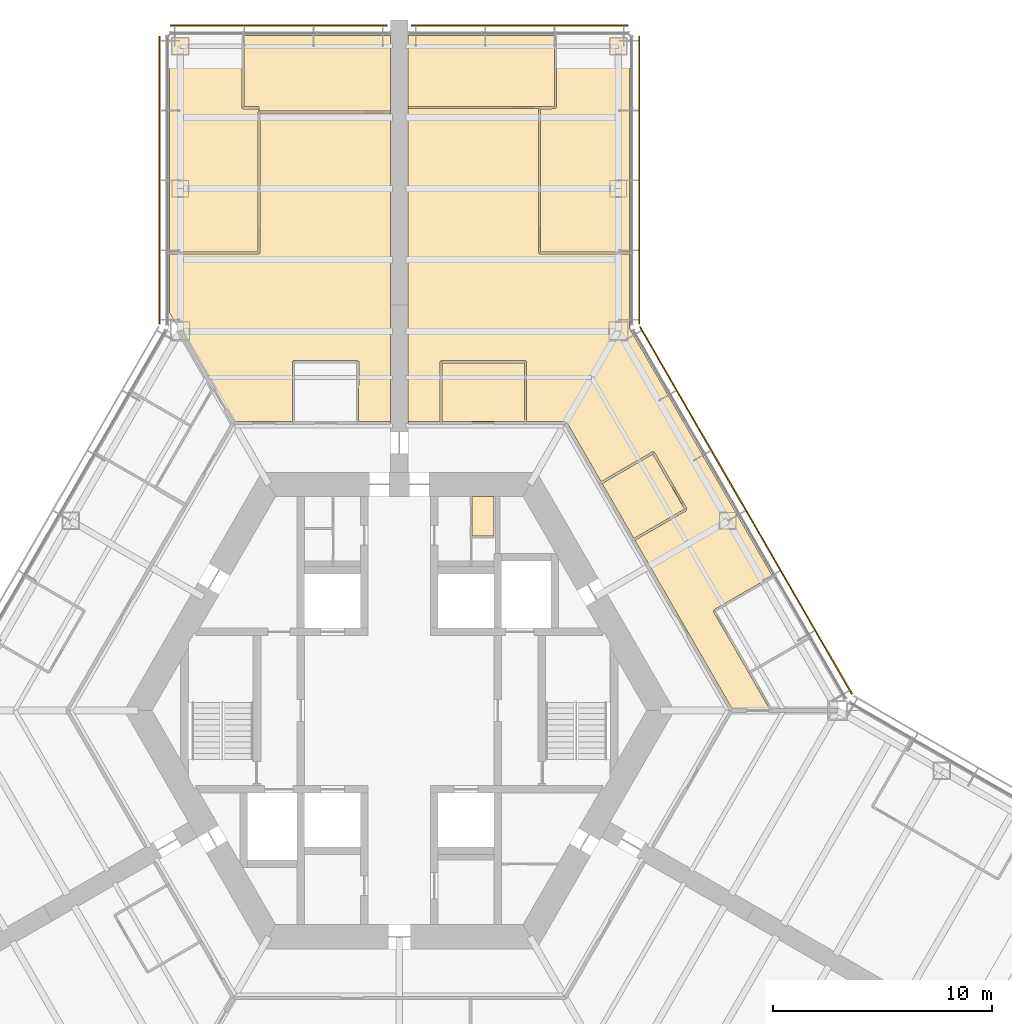
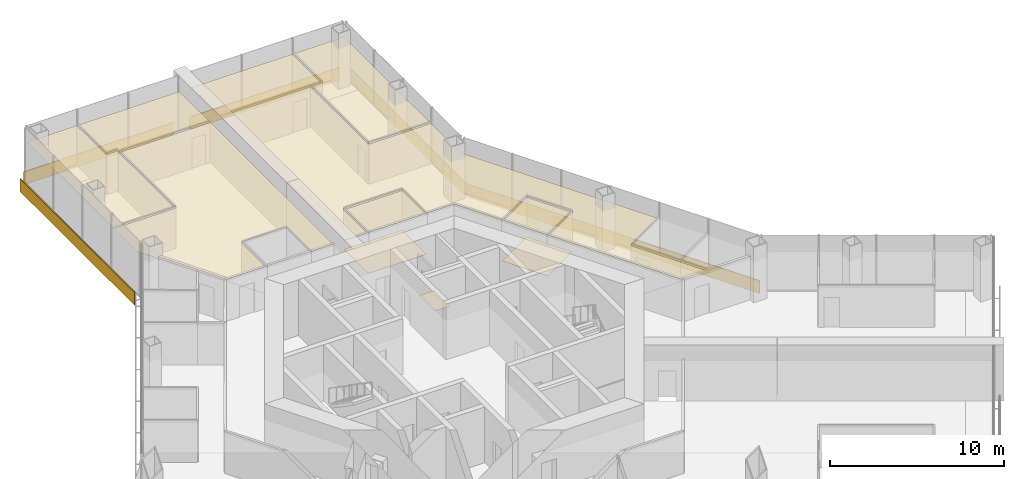
# One storey, part 18 of 18: 11 coverings, 5 shading devices.
"""IFC4 building model written with IfcOpenShell, lengths in metres."""

from ifc_helpers import new_model, si_unit, direction, frame, origin, origin_2d, place, context, subcontext, project, spatial, polyline, rectangle, outline, extrude, material, layer, layer_set, type_object, element, save


model = new_model("IFC4")

# Units and contexts
model_context = context("Model", 3, precision=1e-05, world=origin(), true_north=direction((0.0, 1.0)))
body_context = subcontext(model_context, "Body", "Model", "MODEL_VIEW")
ifc_project = project(units=[si_unit("LENGTHUNIT", "METRE"), si_unit("AREAUNIT", "SQUARE_METRE"), si_unit("VOLUMEUNIT", "CUBIC_METRE"), si_unit("PLANEANGLEUNIT", "RADIAN"), si_unit("MASSUNIT", "GRAM", prefix="KILO")], contexts=[model_context])

# Site, building, storey
site_placement = place(None, origin())
site = spatial("IfcSite", under=ifc_project, at=site_placement, CompositionType="ELEMENT")
building_placement = place(site_placement, origin())
building = spatial("IfcBuilding", under=site, at=building_placement, Name="Kasaneha Research Tower", CompositionType="ELEMENT")
storey_placement = place(building_placement, frame((0.0, 0.0, 65.10009765625)))
storey = spatial("IfcBuildingStorey", under=building, at=storey_placement, Name="L16", CompositionType="ELEMENT", Elevation=65.10009765625)

# Coverings
ifc_material_1 = material(Name="Gypsum ceiling board", Category="gypsum")
ifc_layer_1 = layer(ifc_material_1, 0.02001953125)
ifc_layer_set_1 = layer_set([ifc_layer_1], Name="Suspended ceiling 20")
covering_type_1 = type_object("IfcCoveringType", Name="Suspended ceiling 20", PredefinedType="CEILING", material=ifc_layer_set_1)
covering_1_placement = place(storey_placement, frame((0.0, 0.0, 2.7998046875)))
element("IfcCovering", 1, at=covering_1_placement, inside=storey, type_object=covering_type_1, Name="Ceiling L16-28", PredefinedType="CEILING", context=body_context, shape_type="SweptSolid", body=[
    extrude(outline(polyline([(1.954345703125, 13.199951171875), (1.9501953125, 15.875), (5.70703125, 15.875), (5.70263671875, 13.199951171875), (1.954345703125, 13.199951171875)])), origin(), (0.0, 0.0, 1.0), 0.02001953125),
])
covering_2_placement = place(storey_placement, frame((0.0, 0.0, 2.7998046875)))
element("IfcCovering", 2, at=covering_2_placement, inside=storey, type_object=covering_type_1, Name="Ceiling L16-29", PredefinedType="CEILING", context=body_context, shape_type="SweptSolid", body=[
    extrude(outline(polyline([(11.5732421875, 11.70458984375), (13.023193359375, 9.193359375), (10.704345703125, 7.859619140625), (9.2587890625, 10.363525390625), (11.5732421875, 11.70458984375)])), origin(), (0.0, 0.0, 1.0), 0.02001953125),
])
covering_3_placement = place(storey_placement, frame((0.0, 0.0, 2.7998046875)))
element("IfcCovering", 3, at=covering_3_placement, inside=storey, type_object=covering_type_1, Name="Ceiling L16-30", PredefinedType="CEILING", context=body_context, shape_type="SweptSolid", body=[
    extrude(outline(polyline([(7.1337890625, 30.821044921875), (10.50048828125, 30.820556640625), (10.5, 20.89111328125), (10.5, 20.941162109375), (6.449951171875, 20.941162109375), (6.453857421875, 27.4658203125), (7.133544921875, 27.470458984375), (7.13330078125, 27.5205078125), (7.183349609375, 27.5205078125), (7.18359375, 30.800537109375), (7.1337890625, 30.800537109375), (7.1337890625, 30.821044921875)])), origin(), (0.0, 0.0, 1.0), 0.02001953125),
])
covering_4_placement = place(storey_placement, frame((0.0, 0.0, 2.7998046875)))
element("IfcCovering", 4, at=covering_4_placement, inside=storey, type_object=covering_type_1, Name="Ceiling L16-31", PredefinedType="CEILING", context=body_context, shape_type="SweptSolid", body=[
    extrude(outline(polyline([(7.13330078125, 30.820556640625), (7.13330078125, 30.800537109375), (7.083740234375, 30.800537109375), (7.083251953125, 27.570068359375), (6.404052734375, 27.5654296875), (6.404052734375, 27.570556640625), (0.419921875, 27.570556640625), (0.419921875, 27.5205078125), (0.39990234375, 27.5205078125), (0.39990234375, 30.820556640625), (7.13330078125, 30.820556640625)])), origin(), (0.0, 0.0, 1.0), 0.02001953125),
])
covering_5_placement = place(storey_placement, frame((0.0, 0.0, 2.7998046875)))
element("IfcCovering", 5, at=covering_5_placement, inside=storey, type_object=covering_type_1, Name="Ceiling L16-34", PredefinedType="CEILING", context=body_context, shape_type="SweptSolid", body=[
    extrude(outline(polyline([(15.156005859375, 0.0), (15.144287109375, 0.020263671875), (15.208740234375, 0.0576171875), (10.75439453125, 7.77294921875), (13.116455078125, 9.131591796875), (13.091552734375, 9.174560546875), (13.092041015625, 9.1748046875), (13.091796875, 9.175048828125), (13.134765625, 9.199951171875), (11.634765625, 11.798095703125), (11.591796875, 11.773193359375), (11.591796875, 11.7734375), (11.59130859375, 11.773193359375), (11.56640625, 11.816162109375), (9.208740234375, 10.449951171875), (7.642578125, 13.16259765625), (7.578125, 13.125244140625), (7.578125, 13.12548828125), (7.57763671875, 13.12548828125), (7.57763671875, 13.199951171875), (5.802734375, 13.199951171875), (5.806884765625, 15.9248046875), (5.757080078125, 15.925048828125), (5.757080078125, 15.925537109375), (5.757080078125, 15.925537109375), (5.757080078125, 15.97509765625), (1.89990234375, 15.97509765625), (1.89990234375, 15.925537109375), (1.899658203125, 15.925537109375), (1.899658203125, 15.925048828125), (1.85009765625, 15.9248046875), (1.8544921875, 13.199951171875), (0.419921875, 13.199951171875), (0.419921875, 13.12548828125), (0.39990234375, 13.12548828125), (0.39990234375, 27.52001953125), (0.419921875, 27.52001953125), (0.419921875, 27.470458984375), (6.35400390625, 27.470458984375), (6.35009765625, 20.89111328125), (6.399658203125, 20.89111328125), (6.399658203125, 20.890869140625), (6.39990234375, 20.890869140625), (6.39990234375, 20.841064453125), (10.5, 20.841064453125), (10.5, 17.45458984375), (17.055908203125, 6.09912109375), (17.055908203125, 6.09912109375), (17.03125, 6.14208984375), (14.346435546875, 4.592041015625), (14.37158203125, 4.548828125), (14.328125, 4.523681640625), (15.95556640625, 1.714599609375), (16.93994140625, 0.0), (15.156005859375, 0.0)])), origin(), (0.0, 0.0, 1.0), 0.02001953125),
])
covering_6_placement = place(storey_placement, frame((0.0, 0.0, 2.7998046875)))
element("IfcCovering", 6, at=covering_6_placement, inside=storey, type_object=covering_type_1, Name="Ceiling L16-37", PredefinedType="CEILING", context=body_context, shape_type="SweptSolid", body=[
    extrude(outline(polyline([(-7.1337890625, 30.821044921875), (-7.1337890625, 30.800537109375), (-7.18359375, 30.800537109375), (-7.183837890625, 27.5107421875), (-7.1337890625, 27.5107421875), (-7.1337890625, 27.5107421875), (-7.1337890625, 27.5107421875), (-7.1337890625, 27.460693359375), (-6.39990234375, 27.460693359375), (-6.39990234375, 27.324951171875), (-6.449951171875, 27.324951171875), (-6.449951171875, 20.941162109375), (-10.5, 20.941162109375), (-10.5, 20.89111328125), (-10.50048828125, 30.820556640625), (-7.1337890625, 30.821044921875)])), origin(), (0.0, 0.0, 1.0), 0.02001953125),
])
covering_7_placement = place(storey_placement, frame((0.0, 0.0, 2.7998046875)))
element("IfcCovering", 7, at=covering_7_placement, inside=storey, type_object=covering_type_1, Name="Ceiling L16-38", PredefinedType="CEILING", context=body_context, shape_type="SweptSolid", body=[
    extrude(outline(polyline([(-0.39990234375, 27.320556640625), (-0.419921875, 27.320556640625), (-0.419921875, 27.37060546875), (-6.39990234375, 27.375), (-6.39990234375, 27.324951171875), (-6.39990234375, 27.460693359375), (-6.39990234375, 27.5107421875), (-6.39990234375, 27.560791015625), (-7.083740234375, 27.560791015625), (-7.083740234375, 30.800537109375), (-7.13330078125, 30.800537109375), (-7.13330078125, 30.820556640625), (-0.39990234375, 30.820556640625), (-0.39990234375, 27.320556640625)])), origin(), (0.0, 0.0, 1.0), 0.02001953125),
])
covering_8_placement = place(storey_placement, frame((0.0, 0.0, 2.7998046875)))
element("IfcCovering", 8, at=covering_8_placement, inside=storey, type_object=covering_type_1, Name="Ceiling L16-39", PredefinedType="CEILING", context=body_context, shape_type="SweptSolid", body=[
    extrude(outline(polyline([(-1.899658203125, 15.925537109375), (-1.89990234375, 15.925537109375), (-1.89990234375, 15.97509765625), (-4.8291015625, 15.97509765625), (-4.8291015625, 15.925537109375), (-4.8291015625, 15.925048828125), (-4.87890625, 15.9248046875), (-4.87451171875, 13.199951171875), (-7.5546875, 13.199951171875), (-7.5546875, 13.12548828125), (-7.577880859375, 13.12548828125), (-8.469970703125, 14.67041015625), (-8.467041015625, 14.67529296875), (-8.475830078125, 14.680419921875), (-10.5, 18.1865234375), (-10.5, 20.841064453125), (-6.39990234375, 20.841064453125), (-6.39990234375, 20.890869140625), (-6.399658203125, 20.890869140625), (-6.399658203125, 20.89111328125), (-6.35009765625, 20.89111328125), (-6.35009765625, 27.27490234375), (-0.419921875, 27.2705078125), (-0.419921875, 27.320068359375), (-0.39990234375, 27.320068359375), (-0.39990234375, 13.12548828125), (-0.419921875, 13.12548828125), (-0.419921875, 13.199951171875), (-1.8544921875, 13.199951171875), (-1.85009765625, 15.9248046875), (-1.899658203125, 15.925048828125), (-1.899658203125, 15.925537109375)])), origin(), (0.0, 0.0, 1.0), 0.02001953125),
])

# Shading devices
ifc_material_2 = material(Name="Terracotta", Category="masonry")
ifc_layer_2 = layer(ifc_material_2, 0.06005859375)
ifc_layer_set_2 = layer_set([ifc_layer_2], Name="Terracotta baguette screen")
shading_device_type = type_object("IfcShadingDeviceType", Name="Terracotta baguette screen", PredefinedType="USERDEFINED", material=ifc_layer_set_2)
shading_device_1_placement = place(storey_placement, frame((15.82275390625, 9.13525390625, -0.449951171875), z_axis=(0.0, 0.0, 1.0), x_axis=(-0.49999996188, 0.866025425793, 0.0)))
element("IfcShadingDevice", 9, at=shading_device_1_placement, inside=storey, type_object=shading_device_type, Name="Baguette screen L16 07", ObjectType="TERRACOTTA BAGUETTE SCREEN", PredefinedType="USERDEFINED", context=body_context, shape_type="SweptSolid", body=[
    extrude(rectangle(XDim=19.37841796875, YDim=0.06005859375, at=origin_2d()), origin(), (0.0, 0.0, 1.0), 0.89990234375),
])
shading_device_2_placement = place(storey_placement, frame((10.949951171875, 24.200927734375, -0.449951171875), z_axis=(0.0, 0.0, 1.0), x_axis=(0.0, 1.0, 0.0)))
element("IfcShadingDevice", 10, at=shading_device_2_placement, inside=storey, type_object=shading_device_type, Name="Baguette screen L16 08", ObjectType="TERRACOTTA BAGUETTE SCREEN", PredefinedType="USERDEFINED", context=body_context, shape_type="SweptSolid", body=[
    extrude(rectangle(XDim=13.13916015625, YDim=0.06005859375, at=origin_2d()), origin(), (0.0, 0.0, 1.0), 0.89990234375),
])
for number, where, z_axis, x_axis, name in (
    (11, (5.5, 31.2705078125, -0.449951171875), (0.0, 0.0, 1.0), (-1.0, 0.0, 0.0), "Baguette screen L16 09"),
    (12, (-5.5, 31.2705078125, -0.449951171875), (0.0, 0.0, 1.0), (-1.0, 0.0, 0.0), "Baguette screen L16 10"),
):
    element("IfcShadingDevice", number, at=place(storey_placement, frame(where, z_axis=z_axis, x_axis=x_axis)), inside=storey, type_object=shading_device_type, Name=name, ObjectType="TERRACOTTA BAGUETTE SCREEN", PredefinedType="USERDEFINED", context=body_context, shape_type="SweptSolid", body=[
        extrude(rectangle(XDim=9.89990234375, YDim=0.06005859375, at=origin_2d()), origin(), (0.0, 0.0, 1.0), 0.89990234375),
    ])
shading_device_3_placement = place(storey_placement, frame((-10.949951171875, 24.200927734375, -0.449951171875), z_axis=(0.0, 0.0, 1.0), x_axis=(0.0, -1.0, 0.0)))
element("IfcShadingDevice", 13, at=shading_device_3_placement, inside=storey, type_object=shading_device_type, Name="Baguette screen L16 11", ObjectType="TERRACOTTA BAGUETTE SCREEN", PredefinedType="USERDEFINED", context=body_context, shape_type="SweptSolid", body=[
    extrude(rectangle(XDim=13.13916015625, YDim=0.06005859375, at=origin_2d()), origin(), (0.0, 0.0, 1.0), 0.89990234375),
])

# Coverings
ifc_material_3 = material(Name="Vinyl sheet flooring", Category="plastic")
ifc_layer_3 = layer(ifc_material_3, 0.0048828125)
ifc_layer_set_3 = layer_set([ifc_layer_3], Name="Wet room sheet flooring 5")
covering_type_2 = type_object("IfcCoveringType", Name="Wet room sheet flooring 5", PredefinedType="FLOORING", material=ifc_layer_set_3)
covering_9_placement = place(storey_placement, origin())
element("IfcCovering", 14, at=covering_9_placement, inside=storey, type_object=covering_type_2, Name="Floor finish L16-10", PredefinedType="FLOORING", context=body_context, shape_type="SweptSolid", body=[
    extrude(outline(polyline([(4.324951171875, 7.97509765625), (3.324951171875, 7.97509765625), (3.324951171875, 9.77490234375), (4.324951171875, 9.77490234375), (4.324951171875, 7.97509765625)])), origin(), (0.0, 0.0, 1.0), 0.0048828125),
])
covering_10_placement = place(storey_placement, origin())
element("IfcCovering", 15, at=covering_10_placement, inside=storey, type_object=covering_type_2, Name="Floor finish L16-28", PredefinedType="FLOORING", context=body_context, shape_type="SweptSolid", body=[
    extrude(outline(polyline([(1.89990234375, 15.925048828125), (5.757080078125, 15.925048828125), (5.757080078125, 13.125), (1.89990234375, 13.125), (1.89990234375, 15.925048828125)])), origin(), (0.0, 0.0, 1.0), 0.0048828125),
])
covering_11_placement = place(storey_placement, origin())
element("IfcCovering", 16, at=covering_11_placement, inside=storey, type_object=covering_type_2, Name="Floor finish L16-29", PredefinedType="FLOORING", context=body_context, shape_type="SweptSolid", body=[
    extrude(outline(polyline([(11.591552734375, 11.77294921875), (13.091552734375, 9.175048828125), (10.66650390625, 7.77490234375), (9.16650390625, 10.373046875), (11.591552734375, 11.77294921875)])), origin(), (0.0, 0.0, 1.0), 0.0048828125),
])

save(model, "model.ifc")
